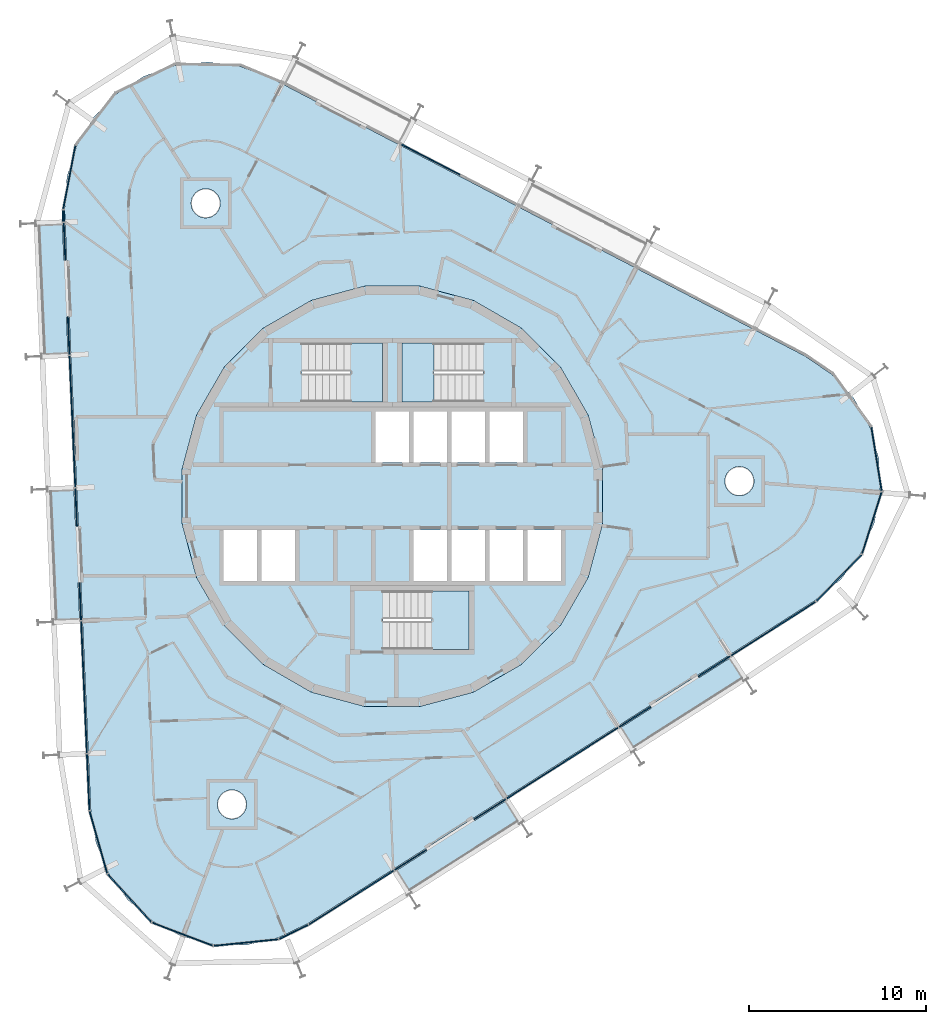
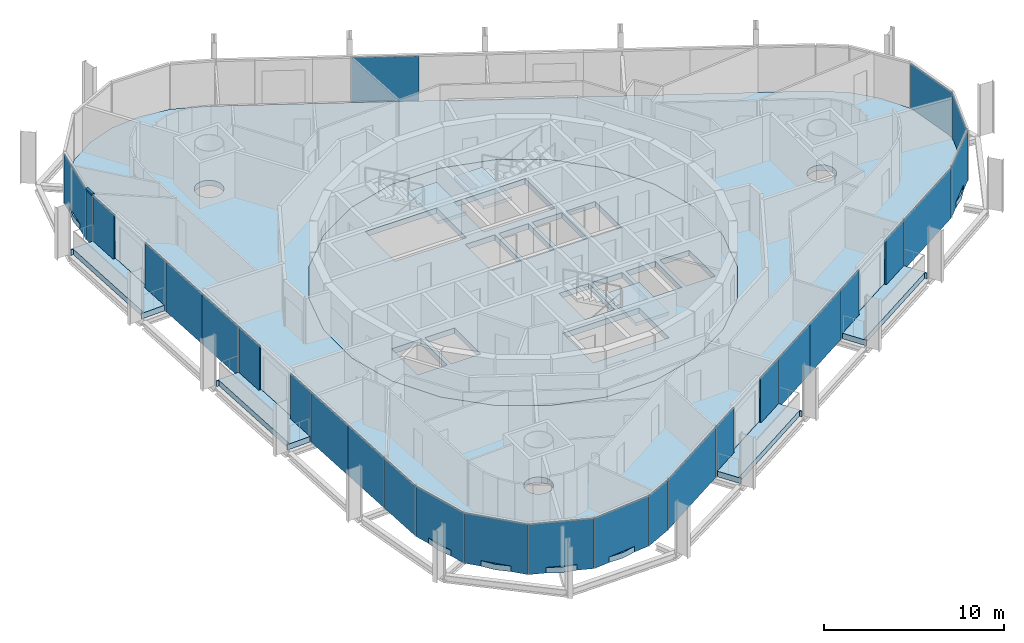
# One storey, part 10 of 18: 28 plates, 9 slabs, 1 member, 9 elements without a shape of their own.
"""IFC4 building model written with IfcOpenShell, lengths in metres."""

from ifc_helpers import new_model, si_unit, direction, frame, origin, origin_2d, place, context, subcontext, project, spatial, polyline, rectangle, outline, extrude, material, layer, layer_set, material_profile, profile_set, type_object, element, aggregate, save


model = new_model("IFC4")

# Units and contexts
model_context = context("Model", 3, precision=1e-05, world=origin(), true_north=direction((0.0, 1.0)))
body_context = subcontext(model_context, "Body", "Model", "MODEL_VIEW")
ifc_project = project(units=[si_unit("LENGTHUNIT", "METRE"), si_unit("AREAUNIT", "SQUARE_METRE"), si_unit("VOLUMEUNIT", "CUBIC_METRE"), si_unit("PLANEANGLEUNIT", "RADIAN"), si_unit("MASSUNIT", "GRAM", prefix="KILO")], contexts=[model_context])

# Site, building, storey
site_placement = place(None, origin())
site = spatial("IfcSite", under=ifc_project, at=site_placement, CompositionType="ELEMENT")
building_placement = place(site_placement, origin())
building = spatial("IfcBuilding", under=site, at=building_placement, Name="Spindle Arch Residences", CompositionType="ELEMENT")
storey_placement = place(building_placement, frame((0.0, 0.0, 247.699951171875)))
storey = spatial("IfcBuildingStorey", under=building, at=storey_placement, Name="L63", CompositionType="ELEMENT", Elevation=247.699951171875)

# Curtain wall, member
ifc_material_1 = material(Name="Aluminium bronze unitised frame with tinted glass", Category="aluminium")
ifc_layer_1 = layer(ifc_material_1, 0.159912109375)
ifc_layer_set_1 = layer_set([ifc_layer_1], Name="CW-D corner wall on the fillet arcs")
curtain_wall_type_1 = type_object("IfcCurtainWallType", Name="CW-D corner wall on the fillet arcs", PredefinedType="NOTDEFINED", material=ifc_layer_set_1)
curtain_wall_1_placement = place(storey_placement, origin())
curtain_wall_1 = element("IfcCurtainWall", 1, at=curtain_wall_1_placement, inside=storey, type_object=curtain_wall_type_1, Name="CW-D L63 run 3", PredefinedType="NOTDEFINED")
ifc_material_2 = material(Name="Aluminium bronze anodised transom", Category="aluminium")
ifc_material_profile = material_profile(ifc_material_2, rectangle(XDim=0.159912109375, YDim=0.1201171875, at=origin_2d()), Name="TR 120x160")
ifc_profile_set = profile_set([ifc_material_profile], Name="Aluminium bronze anodised transom")
member_type = type_object("IfcMemberType", Name="Bronze transom 120x160", PredefinedType="USERDEFINED", material=ifc_profile_set)
member_placement = place(storey_placement, frame((-18.638916015625, 16.2060546875, 3.06005859375), z_axis=(0.043372874815, -0.999058954081, 0.0), x_axis=(0.999058954081, 0.043372874815, 0.0)))
member = element("IfcMember", 2, at=member_placement, type_object=member_type, Name="CW-D transom 05", ObjectType="TRANSOM", PredefinedType="USERDEFINED", context=body_context, shape_type="SweptSolid", body=[
    extrude(rectangle(XDim=0.159912109375, YDim=0.1201171875, at=origin_2d()), origin(), (0.0, 0.0, 1.0), 0.65869140625),
])

# Slabs
ifc_material_3 = material(Name="Concrete C40/50", Category="concrete")
ifc_layer_2 = layer(ifc_material_3, 0.3798828125)
ifc_layer_set_2 = layer_set([ifc_layer_2], Name="Balcony slab 380")
slab_type_1 = type_object("IfcSlabType", Name="Balcony slab 380", PredefinedType="FLOOR", material=ifc_layer_set_2)
slab_1_placement = place(storey_placement, frame((0.0, 0.0, -0.3798828125)))
element("IfcSlab", 3, at=slab_1_placement, inside=storey, type_object=slab_type_1, Name="Balcony L63 bay 1", PredefinedType="FLOOR", context=body_context, shape_type="SweptSolid", body=[
    extrude(outline(polyline([(13.70751953125, -14.36962890625), (13.770751953125, -14.329345703125), (13.690185546875, -14.202880859375), (19.7880859375, -10.318115234375), (19.86865234375, -10.444580078125), (19.931884765625, -10.404296875), (19.13134765625, -9.147705078125), (17.36865234375, -10.270751953125), (17.28271484375, -10.1357421875), (14.583740234375, -11.855224609375), (14.669677734375, -11.989990234375), (12.906982421875, -13.113037109375), (13.70751953125, -14.36962890625)])), origin(), (0.0, 0.0, 1.0), 0.3798828125),
])
slab_2_placement = place(storey_placement, frame((0.0, 0.0, -0.3798828125)))
element("IfcSlab", 4, at=slab_2_placement, inside=storey, type_object=slab_type_1, Name="Balcony L63 bay 13", PredefinedType="FLOOR", context=body_context, shape_type="SweptSolid", body=[
    extrude(outline(polyline([(-20.174072265625, 15.374755859375), (-20.1708984375, 15.2998046875), (-20.02099609375, 15.306396484375), (-19.705810546875, 8.083251953125), (-19.85546875, 8.07666015625), (-19.852294921875, 8.001708984375), (-18.36376953125, 8.066650390625), (-18.454833984375, 10.15478515625), (-18.294921875, 10.161865234375), (-18.4345703125, 13.358642578125), (-18.594482421875, 13.351806640625), (-18.685546875, 15.439697265625), (-20.174072265625, 15.374755859375)])), origin(), (0.0, 0.0, 1.0), 0.3798828125),
])
slab_3_placement = place(storey_placement, frame((0.0, 0.0, -0.3798828125)))
element("IfcSlab", 5, at=slab_3_placement, inside=storey, type_object=slab_type_1, Name="Balcony L63 bay 15", PredefinedType="FLOOR", context=body_context, shape_type="SweptSolid", body=[
    extrude(outline(polyline([(-19.517333984375, 0.3291015625), (-19.513916015625, 0.254150390625), (-19.3642578125, 0.260498046875), (-19.048828125, -6.962646484375), (-19.19873046875, -6.96923828125), (-19.1953125, -7.0439453125), (-17.706787109375, -6.97900390625), (-17.7978515625, -4.89111328125), (-17.63818359375, -4.884033203125), (-17.777587890625, -1.68701171875), (-17.9375, -1.694091796875), (-18.02880859375, 0.39404296875), (-19.517333984375, 0.3291015625)])), origin(), (0.0, 0.0, 1.0), 0.3798828125),
])
slab_4_placement = place(storey_placement, frame((0.0, 0.0, -0.3798828125)))
element("IfcSlab", 6, at=slab_4_placement, inside=storey, type_object=slab_type_1, Name="Balcony L63 bay 21", PredefinedType="FLOOR", context=body_context, shape_type="SweptSolid", body=[
    extrude(outline(polyline([(1.006103515625, -22.46142578125), (1.0693359375, -22.421142578125), (0.988525390625, -22.294677734375), (7.08642578125, -18.409912109375), (7.1669921875, -18.536376953125), (7.230224609375, -18.49609375), (6.4296875, -17.239501953125), (4.6669921875, -18.362548828125), (4.5810546875, -18.2275390625), (1.882080078125, -19.947021484375), (1.968017578125, -20.081787109375), (0.205322265625, -21.204833984375), (1.006103515625, -22.46142578125)])), origin(), (0.0, 0.0, 1.0), 0.3798828125),
])
ifc_material_4 = material(Name="Concrete C50/60", Category="concrete")
ifc_layer_3 = layer(ifc_material_4, 0.3798828125)
ifc_layer_set_3 = layer_set([ifc_layer_3], Name="Core floor slab 380")
slab_type_2 = type_object("IfcSlabType", Name="Core floor slab 380", PredefinedType="FLOOR", material=ifc_layer_set_3)
slab_5_placement = place(storey_placement, frame((0.0, 0.0, -0.3798828125)))
element("IfcSlab", 7, at=slab_5_placement, inside=storey, type_object=slab_type_2, Name="Core floor L63", PredefinedType="FLOOR", context=body_context, shape_type="SweptSolid", body=[
    extrude(outline(polyline([(1.56640625, -11.897216796875), (4.59228515625, -11.086669921875), (7.30517578125, -9.520263671875), (9.520263671875, -7.30517578125), (11.086669921875, -4.59228515625), (11.897216796875, -1.56640625), (11.897216796875, 1.56640625), (11.086669921875, 4.59228515625), (9.520263671875, 7.30517578125), (7.30517578125, 9.520263671875), (4.59228515625, 11.086669921875), (1.56640625, 11.897216796875), (-1.56640625, 11.897216796875), (-4.59228515625, 11.086669921875), (-7.30517578125, 9.520263671875), (-9.520263671875, 7.30517578125), (-11.086669921875, 4.59228515625), (-11.897216796875, 1.56640625), (-11.897216796875, -1.56640625), (-11.086669921875, -4.59228515625), (-9.520263671875, -7.30517578125), (-7.30517578125, -9.520263671875), (-4.59228515625, -11.086669921875), (-1.56640625, -11.897216796875), (1.56640625, -11.897216796875)]), holes=[polyline([(-0.949951171875, 1.89990234375), (0.949951171875, 1.89990234375), (0.949951171875, 4.800048828125), (-0.949951171875, 4.800048828125), (-0.949951171875, 1.89990234375)]), polyline([(1.199951171875, 1.89990234375), (3.10009765625, 1.89990234375), (3.10009765625, 4.800048828125), (1.199951171875, 4.800048828125), (1.199951171875, 1.89990234375)]), polyline([(3.35009765625, 1.89990234375), (5.25, 1.89990234375), (5.25, 4.800048828125), (3.35009765625, 4.800048828125), (3.35009765625, 1.89990234375)]), polyline([(5.5, 1.89990234375), (7.39990234375, 1.89990234375), (7.39990234375, 4.800048828125), (5.5, 4.800048828125), (5.5, 1.89990234375)]), polyline([(-9.550048828125, -4.800048828125), (-7.64990234375, -4.800048828125), (-7.64990234375, -1.89990234375), (-9.550048828125, -1.89990234375), (-9.550048828125, -4.800048828125)]), polyline([(-7.39990234375, -4.800048828125), (-5.5, -4.800048828125), (-5.5, -1.89990234375), (-7.39990234375, -1.89990234375), (-7.39990234375, -4.800048828125)]), polyline([(1.199951171875, -4.800048828125), (3.10009765625, -4.800048828125), (3.10009765625, -1.89990234375), (1.199951171875, -1.89990234375), (1.199951171875, -4.800048828125)]), polyline([(3.35009765625, -4.800048828125), (5.25, -4.800048828125), (5.25, -1.89990234375), (3.35009765625, -1.89990234375), (3.35009765625, -4.800048828125)]), polyline([(5.5, -4.800048828125), (7.39990234375, -4.800048828125), (7.39990234375, -1.89990234375), (5.5, -1.89990234375), (5.5, -4.800048828125)]), polyline([(7.64990234375, -4.800048828125), (9.550048828125, -4.800048828125), (9.550048828125, -1.89990234375), (7.64990234375, -1.89990234375), (7.64990234375, -4.800048828125)]), polyline([(5.1298828125, 8.669921875), (0.550048828125, 8.669921875), (0.550048828125, 5.35009765625), (5.1298828125, 5.35009765625), (5.1298828125, 8.669921875)]), polyline([(-5.1298828125, 5.35009765625), (-0.550048828125, 5.35009765625), (-0.550048828125, 8.669921875), (-5.1298828125, 8.669921875), (-5.1298828125, 5.35009765625)]), polyline([(-0.530029296875, -8.669921875), (4.35009765625, -8.669921875), (4.35009765625, -5.35009765625), (-0.530029296875, -5.35009765625), (-0.530029296875, -8.669921875)])]), origin(), (0.0, 0.0, 1.0), 0.3798828125),
])

# Stair, slab
ifc_material_5 = material(Name="Concrete C50/60", Category="concrete")
stair_type = type_object("IfcStairType", Name="Exit stair 16 risers", PredefinedType="HALF_TURN_STAIR", material=ifc_material_5)
stair_1_placement = place(storey_placement, origin())
stair_1 = element("IfcStair", 8, at=stair_1_placement, inside=storey, type_object=stair_type, Name="L63 Exit stair ST1", PredefinedType="HALF_TURN_STAIR")
ifc_material_6 = material(Name="Concrete C50/60", Category="concrete")
ifc_layer_4 = layer(ifc_material_6, 0.219970703125)
ifc_layer_set_4 = layer_set([ifc_layer_4], Name="Exit stair landing 220")
slab_type_3 = type_object("IfcSlabType", Name="Exit stair landing 220", PredefinedType="LANDING", material=ifc_layer_set_4)
slab_6_placement = place(storey_placement, frame((0.0, 0.0, 1.530029296875)))
slab_6 = element("IfcSlab", 9, at=slab_6_placement, type_object=slab_type_3, Name="ST1 landing 1", PredefinedType="LANDING", context=body_context, shape_type="SweptSolid", body=[
    extrude(outline(polyline([(2.3701171875, 8.669921875), (0.550048828125, 8.669921875), (0.550048828125, 5.35009765625), (2.3701171875, 5.35009765625), (2.3701171875, 8.669921875)])), origin(), (0.0, 0.0, 1.0), 0.219970703125),
])
aggregate(stair_1, [slab_6])

stair_2_placement = place(storey_placement, origin())
stair_2 = element("IfcStair", 10, at=stair_2_placement, inside=storey, type_object=stair_type, Name="L63 Exit stair ST2", PredefinedType="HALF_TURN_STAIR")
slab_7_placement = place(storey_placement, frame((0.0, 0.0, 1.530029296875)))
slab_7 = element("IfcSlab", 11, at=slab_7_placement, type_object=slab_type_3, Name="ST2 landing 1", PredefinedType="LANDING", context=body_context, shape_type="SweptSolid", body=[
    extrude(outline(polyline([(-2.3701171875, 5.35009765625), (-0.550048828125, 5.35009765625), (-0.550048828125, 8.669921875), (-2.3701171875, 8.669921875), (-2.3701171875, 5.35009765625)])), origin(), (0.0, 0.0, 1.0), 0.219970703125),
])
aggregate(stair_2, [slab_7])

stair_3_placement = place(storey_placement, origin())
stair_3 = element("IfcStair", 12, at=stair_3_placement, inside=storey, type_object=stair_type, Name="L63 Exit stair ST3", PredefinedType="HALF_TURN_STAIR")
slab_8_placement = place(storey_placement, frame((0.0, 0.0, 1.530029296875)))
slab_8 = element("IfcSlab", 13, at=slab_8_placement, type_object=slab_type_3, Name="ST3 landing 1", PredefinedType="LANDING", context=body_context, shape_type="SweptSolid", body=[
    extrude(outline(polyline([(2.22998046875, -8.669921875), (4.35009765625, -8.669921875), (4.35009765625, -5.35009765625), (2.22998046875, -5.35009765625), (2.22998046875, -8.669921875)])), origin(), (0.0, 0.0, 1.0), 0.219970703125),
])
aggregate(stair_3, [slab_8])

# Slab
ifc_material_7 = material(Name="Concrete C40/50", Category="concrete")
ifc_layer_5 = layer(ifc_material_7, 0.3798828125)
ifc_layer_set_5 = layer_set([ifc_layer_5], Name="Floor slab 380")
slab_type_4 = type_object("IfcSlabType", Name="Floor slab 380", PredefinedType="FLOOR", material=ifc_layer_set_5)
slab_9_placement = place(storey_placement, frame((0.0, 0.0, -0.3798828125)))
element("IfcSlab", 14, at=slab_9_placement, inside=storey, type_object=slab_type_4, Name="Floor slab L63", PredefinedType="FLOOR", context=body_context, shape_type="SweptSolid", body=[
    extrude(outline(polyline([(-6.45556640625, -25.0029296875), (-8.268798828125, -25.40478515625), (-10.126220703125, -25.3779296875), (-11.92724609375, -24.92333984375), (-13.57470703125, -24.065673828125), (-14.980224609375, -22.85107421875), (-16.067626953125, -21.34521484375), (-16.778564453125, -19.629150390625), (-17.074462890625, -17.79541015625), (-18.560302734375, 16.239501953125), (-18.42529296875, 18.092041015625), (-17.866943359375, 19.863525390625), (-16.914794921875, 21.45849609375), (-15.62060546875, 22.791015625), (-14.053955078125, 23.788818359375), (-12.299560546875, 24.398681640625), (-10.45166015625, 24.587646484375), (-8.610107421875, 24.34521484375), (-6.8740234375, 23.6845703125), (23.343994140625, 7.9541015625), (24.880859375, 6.910888671875), (26.1357421875, 5.54150390625), (27.041015625, 3.91943359375), (27.5478515625, 2.13232421875), (27.62890625, 0.276611328125), (27.27978515625, -1.547607421875), (26.519287109375, -3.242431640625), (25.388427734375, -4.716064453125), (23.948486328125, -5.88916015625), (9.58251953125, -15.041259765625), (-4.78369140625, -24.193603515625), (-6.45556640625, -25.0029296875)]), holes=[polyline([(7.30517578125, -9.520263671875), (9.520263671875, -7.30517578125), (11.086669921875, -4.59228515625), (11.897216796875, -1.56640625), (11.897216796875, 1.56640625), (11.086669921875, 4.59228515625), (9.520263671875, 7.30517578125), (7.30517578125, 9.520263671875), (4.59228515625, 11.086669921875), (1.56640625, 11.897216796875), (-1.56640625, 11.897216796875), (-4.59228515625, 11.086669921875), (-7.30517578125, 9.520263671875), (-9.520263671875, 7.30517578125), (-11.086669921875, 4.59228515625), (-11.897216796875, 1.56640625), (-11.897216796875, -1.56640625), (-11.086669921875, -4.59228515625), (-9.520263671875, -7.30517578125), (-7.30517578125, -9.520263671875), (-4.59228515625, -11.086669921875), (-1.56640625, -11.897216796875), (1.56640625, -11.897216796875), (4.59228515625, -11.086669921875), (7.30517578125, -9.520263671875)]), polyline([(-8.39599609375, -17.904541015625), (-8.31982421875, -17.761962890625), (-8.27294921875, -17.607177734375), (-8.257080078125, -17.4462890625), (-8.27294921875, -17.285400390625), (-8.31982421875, -17.130615234375), (-8.39599609375, -16.988037109375), (-8.49853515625, -16.86279296875), (-8.623779296875, -16.76025390625), (-8.766357421875, -16.68408203125), (-8.921142578125, -16.63720703125), (-9.08203125, -16.621337890625), (-9.242919921875, -16.63720703125), (-9.397705078125, -16.68408203125), (-9.540283203125, -16.76025390625), (-9.665283203125, -16.86279296875), (-9.76806640625, -16.988037109375), (-9.84423828125, -17.130615234375), (-9.89111328125, -17.285400390625), (-9.906982421875, -17.4462890625), (-9.89111328125, -17.607177734375), (-9.84423828125, -17.761962890625), (-9.76806640625, -17.904541015625), (-9.665283203125, -18.02978515625), (-9.540283203125, -18.13232421875), (-9.397705078125, -18.20849609375), (-9.242919921875, -18.25537109375), (-9.08203125, -18.271240234375), (-8.921142578125, -18.25537109375), (-8.766357421875, -18.20849609375), (-8.623779296875, -18.13232421875), (-8.49853515625, -18.02978515625), (-8.39599609375, -17.904541015625)]), polyline([(-9.882080078125, 16.130126953125), (-9.805908203125, 16.272705078125), (-9.7587890625, 16.427490234375), (-9.742919921875, 16.58837890625), (-9.7587890625, 16.749267578125), (-9.805908203125, 16.904052734375), (-9.882080078125, 17.046630859375), (-9.984619140625, 17.171875), (-10.109619140625, 17.2744140625), (-10.252197265625, 17.3505859375), (-10.406982421875, 17.3974609375), (-10.568115234375, 17.413330078125), (-10.72900390625, 17.3974609375), (-10.8837890625, 17.3505859375), (-11.0263671875, 17.2744140625), (-11.1513671875, 17.171875), (-11.25390625, 17.046630859375), (-11.330078125, 16.904052734375), (-11.377197265625, 16.749267578125), (-11.39306640625, 16.58837890625), (-11.377197265625, 16.427490234375), (-11.330078125, 16.272705078125), (-11.25390625, 16.130126953125), (-11.1513671875, 16.0048828125), (-11.0263671875, 15.90234375), (-10.8837890625, 15.826171875), (-10.72900390625, 15.779296875), (-10.568115234375, 15.763427734375), (-10.406982421875, 15.779296875), (-10.252197265625, 15.826171875), (-10.109619140625, 15.90234375), (-9.984619140625, 16.0048828125), (-9.882080078125, 16.130126953125)]), polyline([(20.2333984375, 0.2744140625), (20.3359375, 0.399658203125), (20.412109375, 0.542236328125), (20.458984375, 0.697021484375), (20.47509765625, 0.85791015625), (20.458984375, 1.018798828125), (20.412109375, 1.173583984375), (20.3359375, 1.316162109375), (20.2333984375, 1.44140625), (20.1083984375, 1.5439453125), (19.9658203125, 1.6201171875), (19.810791015625, 1.6669921875), (19.64990234375, 1.682861328125), (19.489013671875, 1.6669921875), (19.334228515625, 1.6201171875), (19.191650390625, 1.5439453125), (19.066650390625, 1.44140625), (18.964111328125, 1.316162109375), (18.8876953125, 1.173583984375), (18.8408203125, 1.018798828125), (18.824951171875, 0.85791015625), (18.8408203125, 0.697021484375), (18.8876953125, 0.542236328125), (18.964111328125, 0.399658203125), (19.066650390625, 0.2744140625), (19.191650390625, 0.171875), (19.334228515625, 0.095703125), (19.489013671875, 0.048828125), (19.64990234375, 0.032958984375), (19.810791015625, 0.048828125), (19.9658203125, 0.095703125), (20.1083984375, 0.171875), (20.2333984375, 0.2744140625)])]), origin(), (0.0, 0.0, 1.0), 0.3798828125),
])

# Curtain wall, plates
curtain_wall_2_placement = place(storey_placement, origin())
curtain_wall_2 = element("IfcCurtainWall", 15, at=curtain_wall_2_placement, inside=storey, type_object=curtain_wall_type_1, Name="CW-D L63 run 1", PredefinedType="NOTDEFINED")
ifc_material_8 = material(Name="Tinted double glazing over non-combustible spandrel zone with 0.55 mm stainless steel cavity fire stop (K0)", Category="steel")
ifc_layer_6 = layer(ifc_material_8, 0.070068359375)
ifc_layer_set_6 = layer_set([ifc_layer_6], Name="Unitised glass panel with spandrel zone and stainless cavity fire stop")
plate_type = type_object("IfcPlateType", Name="Unitised glass panel with spandrel zone and stainless cavity fire stop", PredefinedType="CURTAIN_PANEL", material=ifc_layer_set_6)
plate_1_placement = place(storey_placement, frame((21.571533203125, -7.498291015625, -0.3798828125), z_axis=(0.0, 0.0, 1.0), x_axis=(0.843391445813, 0.537299608347, 0.0)))
plate_1 = element("IfcPlate", 16, at=plate_1_placement, type_object=plate_type, Name="CW-D unit 00", PredefinedType="CURTAIN_PANEL", context=body_context, shape_type="SweptSolid", body=[
    extrude(rectangle(XDim=5.678466796875, YDim=0.070068359375, at=origin_2d()), origin(), (0.0, 0.0, 1.0), 3.3798828125),
])
plate_2_placement = place(storey_placement, frame((25.28955078125, -4.6201171875, -0.3798828125), z_axis=(0.0, 0.0, 1.0), x_axis=(0.696747904692, 0.71731607908, 0.0)))
plate_2 = element("IfcPlate", 17, at=plate_2_placement, type_object=plate_type, Name="CW-D unit 01", PredefinedType="CURTAIN_PANEL", context=body_context, shape_type="SweptSolid", body=[
    extrude(rectangle(XDim=3.666748046875, YDim=0.070068359375, at=origin_2d()), origin(), (0.0, 0.0, 1.0), 3.3798828125),
])
plate_3_placement = place(storey_placement, frame((27.148193359375, -1.50634765625, -0.3798828125), z_axis=(0.0, 0.0, 1.0), x_axis=(0.300705803932, 0.953716949352, 0.0)))
plate_3 = element("IfcPlate", 18, at=plate_3_placement, type_object=plate_type, Name="CW-D unit 02", PredefinedType="CURTAIN_PANEL", context=body_context, shape_type="SweptSolid", body=[
    extrude(rectangle(XDim=3.666748046875, YDim=0.070068359375, at=origin_2d()), origin(), (0.0, 0.0, 1.0), 3.3798828125),
])
plate_4_placement = place(storey_placement, frame((27.411865234375, 2.1103515625, -0.3798828125), z_axis=(0.0, 0.0, 1.0), x_axis=(-0.15930686075, 0.987229114298, 0.0)))
plate_4 = element("IfcPlate", 19, at=plate_4_placement, type_object=plate_type, Name="CW-D unit 03", PredefinedType="CURTAIN_PANEL", context=body_context, shape_type="SweptSolid", body=[
    extrude(rectangle(XDim=3.666748046875, YDim=0.070068359375, at=origin_2d()), origin(), (0.0, 0.0, 1.0), 3.3798828125),
])
aggregate(curtain_wall_2, [plate_1, plate_2, plate_3, plate_4])

# Curtain wall, plate
ifc_material_9 = material(Name="Aluminium bronze unitised frame with tinted glass", Category="aluminium")
ifc_layer_7 = layer(ifc_material_9, 0.159912109375)
ifc_layer_set_7 = layer_set([ifc_layer_7], Name="CW-C typical residential unitised wall")
curtain_wall_type_2 = type_object("IfcCurtainWallType", Name="CW-C typical residential unitised wall", PredefinedType="NOTDEFINED", material=ifc_layer_set_7)
curtain_wall_3_placement = place(storey_placement, origin())
curtain_wall_3 = element("IfcCurtainWall", 20, at=curtain_wall_3_placement, inside=storey, type_object=curtain_wall_type_2, Name="CW-C L63 run 2", PredefinedType="NOTDEFINED")
plate_5_placement = place(storey_placement, frame((2.16259765625, 19.070556640625, -0.3798828125), z_axis=(0.0, 0.0, 1.0), x_axis=(-0.887010833178, 0.461748613235, 0.0)))
plate_5 = element("IfcPlate", 21, at=plate_5_placement, type_object=plate_type, Name="CW-C unit 07B", PredefinedType="CURTAIN_PANEL", context=body_context, shape_type="SweptSolid", body=[
    extrude(rectangle(XDim=3.735107421875, YDim=0.070068359375, at=origin_2d()), origin(), (0.0, 0.0, 1.0), 3.3798828125),
])
aggregate(curtain_wall_3, [plate_5])

# Plate
plate_6_placement = place(storey_placement, frame((-18.2900390625, 18.066162109375, -0.3798828125), z_axis=(0.0, 0.0, 1.0), x_axis=(-0.187952756314, -0.982178070104, 0.0)))
plate_6 = element("IfcPlate", 22, at=plate_6_placement, type_object=plate_type, Name="CW-D unit 04", PredefinedType="CURTAIN_PANEL", context=body_context, shape_type="SweptSolid", body=[
    extrude(rectangle(XDim=3.666748046875, YDim=0.070068359375, at=origin_2d()), origin(), (0.0, 0.0, 1.0), 3.3798828125),
])

plate_7_placement = place(storey_placement, frame((-18.62451171875, 15.877197265625, -0.3798828125), z_axis=(0.0, 0.0, 1.0), x_axis=(0.043619387365, -0.999048221582, 0.0)))
plate_7 = element("IfcPlate", 23, at=plate_7_placement, type_object=plate_type, Name="CW-D unit 05", PredefinedType="CURTAIN_PANEL", context=body_context, shape_type="SweptSolid", body=[
    extrude(rectangle(XDim=0.658447265625, YDim=0.070068359375, at=origin_2d()), origin(), (0.0, 0.0, 1.0), 3.3798828125),
])

aggregate(curtain_wall_1, [plate_6, member, plate_7])

# Curtain wall, plates
curtain_wall_4_placement = place(storey_placement, origin())
curtain_wall_4 = element("IfcCurtainWall", 24, at=curtain_wall_4_placement, inside=storey, type_object=curtain_wall_type_2, Name="CW-C L63 run 4", PredefinedType="NOTDEFINED")
plate_8_placement = place(storey_placement, frame((-18.56103515625, 14.421875, -0.3798828125), z_axis=(0.0, 0.0, 1.0), x_axis=(0.043619387365, -0.999048221582, 0.0)))
plate_8 = element("IfcPlate", 25, at=plate_8_placement, type_object=plate_type, Name="CW-C unit 12L", PredefinedType="CURTAIN_PANEL", context=body_context, shape_type="SweptSolid", body=[
    extrude(rectangle(XDim=2.135009765625, YDim=0.070068359375, at=origin_2d()), origin(), (0.0, 0.0, 1.0), 3.3798828125),
])
plate_9_placement = place(storey_placement, frame((-18.328369140625, 9.091796875, -0.3798828125), z_axis=(0.0, 0.0, 1.0), x_axis=(0.043619387365, -0.999048221582, 0.0)))
plate_9 = element("IfcPlate", 26, at=plate_9_placement, type_object=plate_type, Name="CW-C unit 12R", PredefinedType="CURTAIN_PANEL", context=body_context, shape_type="SweptSolid", body=[
    extrude(rectangle(XDim=2.135009765625, YDim=0.070068359375, at=origin_2d()), origin(), (0.0, 0.0, 1.0), 3.3798828125),
])
plate_10_placement = place(storey_placement, frame((-18.19775390625, 6.099609375, -0.3798828125), z_axis=(0.0, 0.0, 1.0), x_axis=(0.043619387365, -0.999048221582, 0.0)))
plate_10 = element("IfcPlate", 27, at=plate_10_placement, type_object=plate_type, Name="CW-C unit 13A", PredefinedType="CURTAIN_PANEL", context=body_context, shape_type="SweptSolid", body=[
    extrude(rectangle(XDim=3.735107421875, YDim=0.070068359375, at=origin_2d()), origin(), (0.0, 0.0, 1.0), 3.3798828125),
])
plate_11_placement = place(storey_placement, frame((-18.034912109375, 2.3681640625, -0.3798828125), z_axis=(0.0, 0.0, 1.0), x_axis=(0.043619387365, -0.999048221582, 0.0)))
plate_11 = element("IfcPlate", 28, at=plate_11_placement, type_object=plate_type, Name="CW-C unit 13B", PredefinedType="CURTAIN_PANEL", context=body_context, shape_type="SweptSolid", body=[
    extrude(rectangle(XDim=3.735107421875, YDim=0.070068359375, at=origin_2d()), origin(), (0.0, 0.0, 1.0), 3.3798828125),
])
plate_12_placement = place(storey_placement, frame((-17.904052734375, -0.6240234375, -0.3798828125), z_axis=(0.0, 0.0, 1.0), x_axis=(0.043619387365, -0.999048221582, 0.0)))
plate_12 = element("IfcPlate", 29, at=plate_12_placement, type_object=plate_type, Name="CW-C unit 14L", PredefinedType="CURTAIN_PANEL", context=body_context, shape_type="SweptSolid", body=[
    extrude(rectangle(XDim=2.135009765625, YDim=0.070068359375, at=origin_2d()), origin(), (0.0, 0.0, 1.0), 3.3798828125),
])
plate_13_placement = place(storey_placement, frame((-17.67138671875, -5.9541015625, -0.3798828125), z_axis=(0.0, 0.0, 1.0), x_axis=(0.043619387365, -0.999048221582, 0.0)))
plate_13 = element("IfcPlate", 30, at=plate_13_placement, type_object=plate_type, Name="CW-C unit 14R", PredefinedType="CURTAIN_PANEL", context=body_context, shape_type="SweptSolid", body=[
    extrude(rectangle(XDim=2.135009765625, YDim=0.070068359375, at=origin_2d()), origin(), (0.0, 0.0, 1.0), 3.3798828125),
])
plate_14_placement = place(storey_placement, frame((-17.540771484375, -8.9462890625, -0.3798828125), z_axis=(0.0, 0.0, 1.0), x_axis=(0.043619387365, -0.999048221582, 0.0)))
plate_14 = element("IfcPlate", 31, at=plate_14_placement, type_object=plate_type, Name="CW-C unit 15A", PredefinedType="CURTAIN_PANEL", context=body_context, shape_type="SweptSolid", body=[
    extrude(rectangle(XDim=3.735107421875, YDim=0.070068359375, at=origin_2d()), origin(), (0.0, 0.0, 1.0), 3.3798828125),
])
plate_15_placement = place(storey_placement, frame((-17.3779296875, -12.677734375, -0.3798828125), z_axis=(0.0, 0.0, 1.0), x_axis=(0.043619387365, -0.999048221582, 0.0)))
plate_15 = element("IfcPlate", 32, at=plate_15_placement, type_object=plate_type, Name="CW-C unit 15B", PredefinedType="CURTAIN_PANEL", context=body_context, shape_type="SweptSolid", body=[
    extrude(rectangle(XDim=3.735107421875, YDim=0.070068359375, at=origin_2d()), origin(), (0.0, 0.0, 1.0), 3.3798828125),
])
aggregate(curtain_wall_4, [plate_8, plate_9, plate_10, plate_11, plate_12, plate_13, plate_14, plate_15])

curtain_wall_5_placement = place(storey_placement, origin())
curtain_wall_5 = element("IfcCurtainWall", 33, at=curtain_wall_5_placement, inside=storey, type_object=curtain_wall_type_1, Name="CW-D L63 run 5", PredefinedType="NOTDEFINED")
plate_16_placement = place(storey_placement, frame((-17.224609375, -16.18603515625, -0.3798828125), z_axis=(0.0, 0.0, 1.0), x_axis=(0.043619387365, -0.999048221582, 0.0)))
plate_16 = element("IfcPlate", 34, at=plate_16_placement, type_object=plate_type, Name="CW-D unit 00", PredefinedType="CURTAIN_PANEL", context=body_context, shape_type="SweptSolid", body=[
    extrude(rectangle(XDim=3.16845703125, YDim=0.070068359375, at=origin_2d()), origin(), (0.0, 0.0, 1.0), 3.3798828125),
])
plate_17_placement = place(storey_placement, frame((-16.64599609375, -19.591552734375, -0.3798828125), z_axis=(0.0, 0.0, 1.0), x_axis=(0.272839997585, -0.962059424213, 0.0)))
plate_17 = element("IfcPlate", 35, at=plate_17_placement, type_object=plate_type, Name="CW-D unit 01", PredefinedType="CURTAIN_PANEL", context=body_context, shape_type="SweptSolid", body=[
    extrude(rectangle(XDim=3.666748046875, YDim=0.070068359375, at=origin_2d()), origin(), (0.0, 0.0, 1.0), 3.3798828125),
])
plate_18_placement = place(storey_placement, frame((-14.878662109375, -22.758056640625, -0.3798828125), z_axis=(0.0, 0.0, 1.0), x_axis=(0.675590207538, -0.737277336881, 0.0)))
plate_18 = element("IfcPlate", 36, at=plate_18_placement, type_object=plate_type, Name="CW-D unit 02", PredefinedType="CURTAIN_PANEL", context=body_context, shape_type="SweptSolid", body=[
    extrude(rectangle(XDim=3.666748046875, YDim=0.070068359375, at=origin_2d()), origin(), (0.0, 0.0, 1.0), 3.3798828125),
])
plate_19_placement = place(storey_placement, frame((-11.878173828125, -24.79443359375, -0.3798828125), z_axis=(0.0, 0.0, 1.0), x_axis=(0.934618925661, -0.355650760994, 0.0)))
plate_19 = element("IfcPlate", 37, at=plate_19_placement, type_object=plate_type, Name="CW-D unit 03", PredefinedType="CURTAIN_PANEL", context=body_context, shape_type="SweptSolid", body=[
    extrude(rectangle(XDim=3.666748046875, YDim=0.070068359375, at=origin_2d()), origin(), (0.0, 0.0, 1.0), 3.3798828125),
])
plate_20_placement = place(storey_placement, frame((-8.282958984375, -25.267822265625, -0.3798828125), z_axis=(0.0, 0.0, 1.0), x_axis=(0.994821748016, 0.10163508092, 0.0)))
plate_20 = element("IfcPlate", 38, at=plate_20_placement, type_object=plate_type, Name="CW-D unit 04", PredefinedType="CURTAIN_PANEL", context=body_context, shape_type="SweptSolid", body=[
    extrude(rectangle(XDim=3.666748046875, YDim=0.070068359375, at=origin_2d()), origin(), (0.0, 0.0, 1.0), 3.3798828125),
])
plate_21_placement = place(storey_placement, frame((-5.5849609375, -24.669677734375, -0.3798828125), z_axis=(0.0, 0.0, 1.0), x_axis=(0.900065409973, 0.435754813823, 0.0)))
plate_21 = element("IfcPlate", 39, at=plate_21_placement, type_object=plate_type, Name="CW-D unit 05", PredefinedType="CURTAIN_PANEL", context=body_context, shape_type="SweptSolid", body=[
    extrude(rectangle(XDim=1.816162109375, YDim=0.070068359375, at=origin_2d()), origin(), (0.0, 0.0, 1.0), 3.3798828125),
])
plate_22_placement = place(storey_placement, frame((-2.32080078125, -22.71923828125, -0.3798828125), z_axis=(0.0, 0.0, 1.0), x_axis=(0.843391445813, 0.537299608347, 0.0)))
plate_22 = element("IfcPlate", 40, at=plate_22_placement, type_object=plate_type, Name="CW-D unit 06", PredefinedType="CURTAIN_PANEL", context=body_context, shape_type="SweptSolid", body=[
    extrude(rectangle(XDim=5.678466796875, YDim=0.070068359375, at=origin_2d()), origin(), (0.0, 0.0, 1.0), 3.3798828125),
])
aggregate(curtain_wall_5, [plate_16, plate_17, plate_18, plate_19, plate_20, plate_21, plate_22])

curtain_wall_6_placement = place(storey_placement, origin())
curtain_wall_6 = element("IfcCurtainWall", 41, at=curtain_wall_6_placement, inside=storey, type_object=curtain_wall_type_2, Name="CW-C L63 run 6", PredefinedType="NOTDEFINED")
plate_23_placement = place(storey_placement, frame((1.02490234375, -20.587890625, -0.3798828125), z_axis=(0.0, 0.0, 1.0), x_axis=(0.843391445813, 0.537299608347, 0.0)))
plate_23 = element("IfcPlate", 42, at=plate_23_placement, type_object=plate_type, Name="CW-C unit 20L", PredefinedType="CURTAIN_PANEL", context=body_context, shape_type="SweptSolid", body=[
    extrude(rectangle(XDim=2.135009765625, YDim=0.070068359375, at=origin_2d()), origin(), (0.0, 0.0, 1.0), 3.3798828125),
])
plate_24_placement = place(storey_placement, frame((5.5244140625, -17.721435546875, -0.3798828125), z_axis=(0.0, 0.0, 1.0), x_axis=(0.843391445813, 0.537299608347, 0.0)))
plate_24 = element("IfcPlate", 43, at=plate_24_placement, type_object=plate_type, Name="CW-C unit 20R", PredefinedType="CURTAIN_PANEL", context=body_context, shape_type="SweptSolid", body=[
    extrude(rectangle(XDim=2.135009765625, YDim=0.070068359375, at=origin_2d()), origin(), (0.0, 0.0, 1.0), 3.3798828125),
])
plate_25_placement = place(storey_placement, frame((8.05029296875, -16.1123046875, -0.3798828125), z_axis=(0.0, 0.0, 1.0), x_axis=(0.843391445813, 0.537299608347, 0.0)))
plate_25 = element("IfcPlate", 44, at=plate_25_placement, type_object=plate_type, Name="CW-C unit 21A", PredefinedType="CURTAIN_PANEL", context=body_context, shape_type="SweptSolid", body=[
    extrude(rectangle(XDim=3.735107421875, YDim=0.070068359375, at=origin_2d()), origin(), (0.0, 0.0, 1.0), 3.3798828125),
])
plate_26_placement = place(storey_placement, frame((11.200439453125, -14.10546875, -0.3798828125), z_axis=(0.0, 0.0, 1.0), x_axis=(0.843391445813, 0.537299608347, 0.0)))
plate_26 = element("IfcPlate", 45, at=plate_26_placement, type_object=plate_type, Name="CW-C unit 21B", PredefinedType="CURTAIN_PANEL", context=body_context, shape_type="SweptSolid", body=[
    extrude(rectangle(XDim=3.735107421875, YDim=0.070068359375, at=origin_2d()), origin(), (0.0, 0.0, 1.0), 3.3798828125),
])
plate_27_placement = place(storey_placement, frame((13.726318359375, -12.49609375, -0.3798828125), z_axis=(0.0, 0.0, 1.0), x_axis=(0.843391445813, 0.537299608347, 0.0)))
plate_27 = element("IfcPlate", 46, at=plate_27_placement, type_object=plate_type, Name="CW-C unit 00L", PredefinedType="CURTAIN_PANEL", context=body_context, shape_type="SweptSolid", body=[
    extrude(rectangle(XDim=2.135009765625, YDim=0.070068359375, at=origin_2d()), origin(), (0.0, 0.0, 1.0), 3.3798828125),
])
plate_28_placement = place(storey_placement, frame((18.225830078125, -9.629638671875, -0.3798828125), z_axis=(0.0, 0.0, 1.0), x_axis=(0.843391445813, 0.537299608347, 0.0)))
plate_28 = element("IfcPlate", 47, at=plate_28_placement, type_object=plate_type, Name="CW-C unit 00R", PredefinedType="CURTAIN_PANEL", context=body_context, shape_type="SweptSolid", body=[
    extrude(rectangle(XDim=2.135009765625, YDim=0.070068359375, at=origin_2d()), origin(), (0.0, 0.0, 1.0), 3.3798828125),
])
aggregate(curtain_wall_6, [plate_23, plate_24, plate_25, plate_26, plate_27, plate_28])

save(model, "model.ifc")
